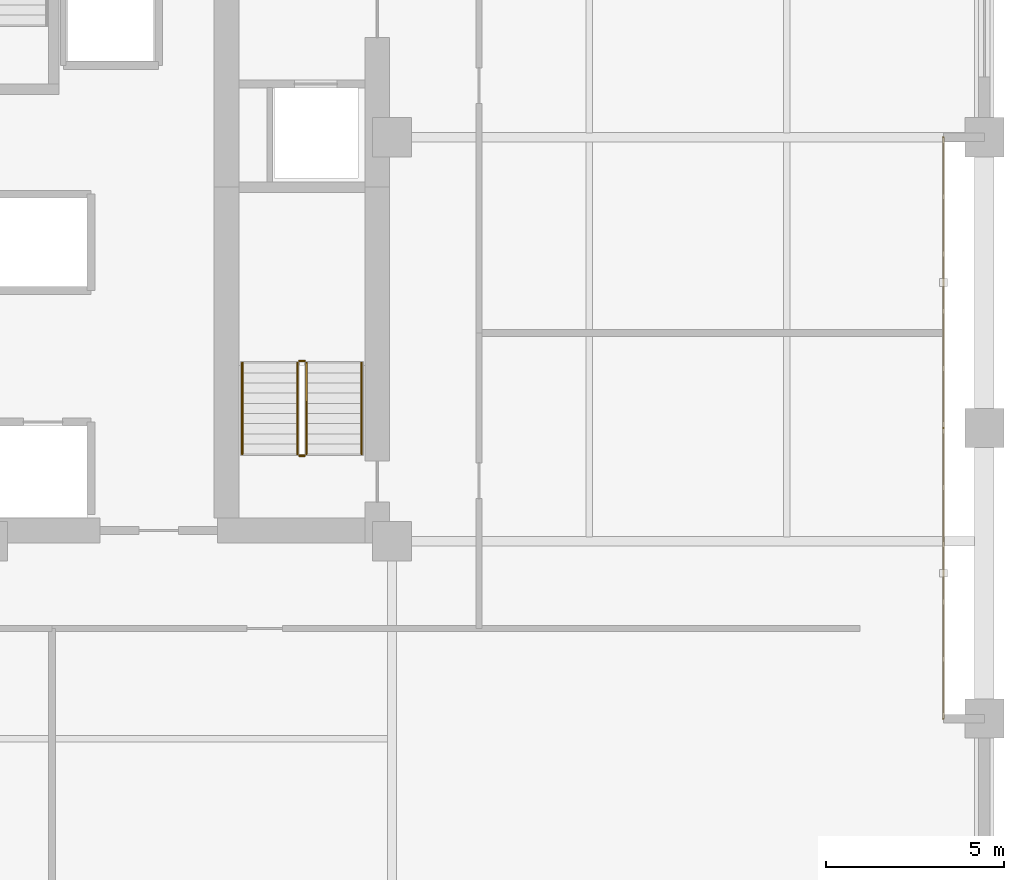
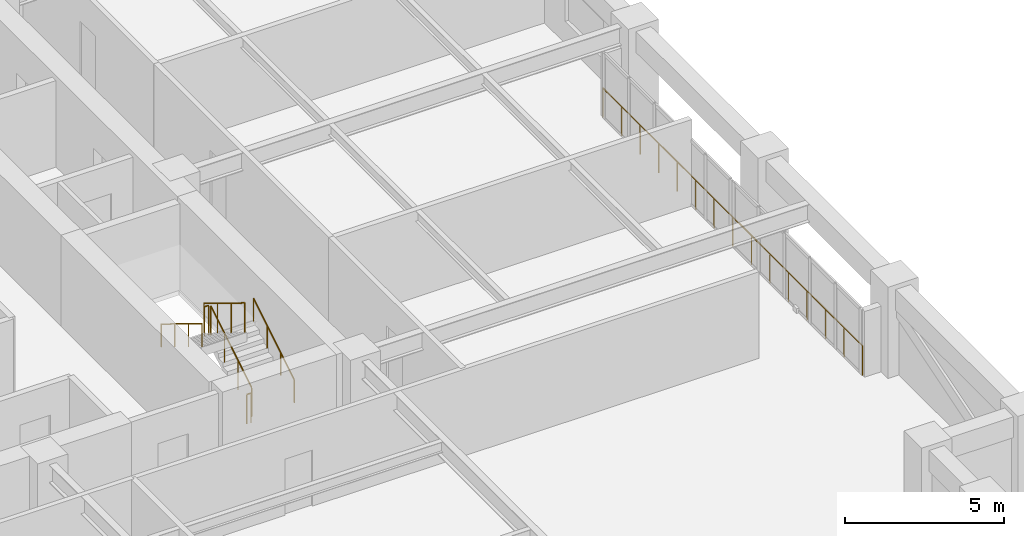
# One storey, part 9 of 10: 8 railings.
"""IFC4 building model written with IfcOpenShell, lengths in metres."""

from ifc_helpers import new_model, si_unit, direction, frame, origin, origin_2d, place, context, subcontext, project, spatial, circle, extrude, material, type_object, element, save


model = new_model("IFC4")

# Units and contexts
model_context = context("Model", 3, precision=1e-05, world=origin(), true_north=direction((0.0, 1.0)))
body_context = subcontext(model_context, "Body", "Model", "MODEL_VIEW")
ifc_project = project(units=[si_unit("LENGTHUNIT", "METRE"), si_unit("AREAUNIT", "SQUARE_METRE"), si_unit("VOLUMEUNIT", "CUBIC_METRE"), si_unit("PLANEANGLEUNIT", "RADIAN"), si_unit("MASSUNIT", "GRAM", prefix="KILO")], contexts=[model_context])

# Site, building, storey
site_placement = place(None, origin())
site = spatial("IfcSite", under=ifc_project, at=site_placement, CompositionType="ELEMENT")
building_placement = place(site_placement, origin())
building = spatial("IfcBuilding", under=site, at=building_placement, Name="Nhamokura Convention Tower", CompositionType="ELEMENT")
storey_placement = place(building_placement, frame((0.0, 0.0, 89.25)))
storey = spatial("IfcBuildingStorey", under=building, at=storey_placement, Name="L21", CompositionType="ELEMENT", Elevation=89.25)

# Railings
ifc_material_1 = material(Name="Anodised bronze stainless steel", Category="steel")
railing_type_1 = type_object("IfcRailingType", Name="StairWallHandrail_900", PredefinedType="HANDRAIL", material=ifc_material_1)
railing_1_placement = place(storey_placement, frame((42.5, 23.10009765625, 0.175048828125)))
element("IfcRailing", 1, at=railing_1_placement, inside=storey, type_object=railing_type_1, Name="L21 ST-02 stair handrail 1", PredefinedType="HANDRAIL", context=body_context, shape_type="SweptSolid", body=[
    extrude(circle(Radius=0.02392578125, at=origin_2d()), frame((0.0, 0.0, 0.8759765625), z_axis=(0.0, 0.852173129349, 0.523259933127), x_axis=(-1.0, 0.0, 0.0)), (0.0, 0.0, 1.0), 3.009765625),
    extrude(circle(Radius=0.02099609375, at=origin_2d()), origin(), (0.0, 0.0, 1.0), 0.851806640625),
    extrude(circle(Radius=0.02099609375, at=origin_2d()), frame((0.0, 0.85498046875, 0.52490234375)), (0.0, 0.0, 1.0), 0.851806640625),
    extrude(circle(Radius=0.02099609375, at=origin_2d()), frame((0.0, 1.7099609375, 1.050048828125)), (0.0, 0.0, 1.0), 0.851806640625),
    extrude(circle(Radius=0.02099609375, at=origin_2d()), frame((0.0, 2.56494140625, 1.574951171875)), (0.0, 0.0, 1.0), 0.851806640625),
])
railing_2_placement = place(storey_placement, frame((39.14990234375, 25.6650390625, 1.925048828125)))
element("IfcRailing", 2, at=railing_2_placement, inside=storey, type_object=railing_type_1, Name="L21 ST-02 stair handrail 2", PredefinedType="HANDRAIL", context=body_context, shape_type="SweptSolid", body=[
    extrude(circle(Radius=0.02392578125, at=origin_2d()), frame((0.0, 0.0, 0.8759765625), z_axis=(0.0, -0.852173129349, 0.523259933127), x_axis=(1.0, 0.0, 0.0)), (0.0, 0.0, 1.0), 3.009765625),
    extrude(circle(Radius=0.02099609375, at=origin_2d()), origin(), (0.0, 0.0, 1.0), 0.851806640625),
    extrude(circle(Radius=0.02099609375, at=origin_2d()), frame((0.0, -0.85498046875, 0.52490234375)), (0.0, 0.0, 1.0), 0.851806640625),
    extrude(circle(Radius=0.02099609375, at=origin_2d()), frame((0.0, -1.7099609375, 1.050048828125)), (0.0, 0.0, 1.0), 0.851806640625),
    extrude(circle(Radius=0.02099609375, at=origin_2d()), frame((0.0, -2.56494140625, 1.574951171875)), (0.0, 0.0, 1.0), 0.851806640625),
])
ifc_material_2 = material(Name="Painted tubular steel", Category="steel")
railing_type_2 = type_object("IfcRailingType", Name="StairWellGuardrail_1150", PredefinedType="GUARDRAIL", material=ifc_material_2)
railing_3_placement = place(storey_placement, frame((40.949951171875, 23.10009765625, 0.175048828125)))
element("IfcRailing", 3, at=railing_3_placement, inside=storey, type_object=railing_type_2, Name="L21 ST-02 stair guard 1", PredefinedType="GUARDRAIL", context=body_context, shape_type="SweptSolid", body=[
    extrude(circle(Radius=0.02392578125, at=origin_2d()), frame((0.0, 0.0, 1.1259765625), z_axis=(0.0, 0.852173129349, 0.523259933127), x_axis=(-1.0, 0.0, 0.0)), (0.0, 0.0, 1.0), 3.009765625),
    extrude(circle(Radius=0.02099609375, at=origin_2d()), origin(), (0.0, 0.0, 1.0), 1.101806640625),
    extrude(circle(Radius=0.02099609375, at=origin_2d()), frame((0.0, 0.85498046875, 0.52490234375)), (0.0, 0.0, 1.0), 1.101806640625),
    extrude(circle(Radius=0.02099609375, at=origin_2d()), frame((0.0, 1.7099609375, 1.050048828125)), (0.0, 0.0, 1.0), 1.101806640625),
    extrude(circle(Radius=0.02099609375, at=origin_2d()), frame((0.0, 2.56494140625, 1.574951171875)), (0.0, 0.0, 1.0), 1.101806640625),
])
railing_4_placement = place(storey_placement, frame((40.89990234375, 25.715087890625, 1.75)))
element("IfcRailing", 4, at=railing_4_placement, inside=storey, type_object=railing_type_2, Name="L21 ST-02 stair guard 2", PredefinedType="GUARDRAIL", context=body_context, shape_type="SweptSolid", body=[
    extrude(circle(Radius=0.02392578125, at=origin_2d()), frame((0.0, 0.0, 1.1259765625), z_axis=(-1.0, 0.0, 0.0), x_axis=(0.0, -1.0, 0.0)), (0.0, 0.0, 1.0), 0.14990234375),
    extrude(circle(Radius=0.02099609375, at=origin_2d()), origin(), (0.0, 0.0, 1.0), 1.101806640625),
    extrude(circle(Radius=0.02099609375, at=origin_2d()), frame((-0.14990234375, 0.0, 0.0)), (0.0, 0.0, 1.0), 1.101806640625),
])
railing_5_placement = place(storey_placement, frame((40.699951171875, 25.6650390625, 1.925048828125)))
element("IfcRailing", 5, at=railing_5_placement, inside=storey, type_object=railing_type_2, Name="L21 ST-02 stair guard 3", PredefinedType="GUARDRAIL", context=body_context, shape_type="SweptSolid", body=[
    extrude(circle(Radius=0.02392578125, at=origin_2d()), frame((0.0, 0.0, 1.1259765625), z_axis=(0.0, -0.852173129349, 0.523259933127), x_axis=(1.0, 0.0, 0.0)), (0.0, 0.0, 1.0), 3.009765625),
    extrude(circle(Radius=0.02099609375, at=origin_2d()), origin(), (0.0, 0.0, 1.0), 1.101806640625),
    extrude(circle(Radius=0.02099609375, at=origin_2d()), frame((0.0, -0.85498046875, 0.52490234375)), (0.0, 0.0, 1.0), 1.101806640625),
    extrude(circle(Radius=0.02099609375, at=origin_2d()), frame((0.0, -1.7099609375, 1.050048828125)), (0.0, 0.0, 1.0), 1.101806640625),
    extrude(circle(Radius=0.02099609375, at=origin_2d()), frame((0.0, -2.56494140625, 1.574951171875)), (0.0, 0.0, 1.0), 1.101806640625),
])
railing_6_placement = place(storey_placement, frame((40.89990234375, 23.050048828125, 0.0)))
element("IfcRailing", 6, at=railing_6_placement, inside=storey, type_object=railing_type_2, Name="L21 ST-02 stair guard 4", PredefinedType="GUARDRAIL", context=body_context, shape_type="SweptSolid", body=[
    extrude(circle(Radius=0.02392578125, at=origin_2d()), frame((0.0, 0.0, 1.1259765625), z_axis=(-1.0, 0.0, 0.0), x_axis=(0.0, -1.0, 0.0)), (0.0, 0.0, 1.0), 0.14990234375),
    extrude(circle(Radius=0.02099609375, at=origin_2d()), origin(), (0.0, 0.0, 1.0), 1.101806640625),
    extrude(circle(Radius=0.02099609375, at=origin_2d()), frame((-0.14990234375, 0.0, 0.0)), (0.0, 0.0, 1.0), 1.101806640625),
])
ifc_material_3 = material(Name="Anodised bronze stainless steel", Category="steel")
railing_type_3 = type_object("IfcRailingType", Name="TerraceGuardrail_1150", PredefinedType="GUARDRAIL", material=ifc_material_3)
railing_7_placement = place(storey_placement, frame((58.85009765625, 23.833251953125, 0.0)))
element("IfcRailing", 7, at=railing_7_placement, inside=storey, type_object=railing_type_3, Name="L21 Scale-Slot Edge Guardrail EAST 1", PredefinedType="GUARDRAIL", context=body_context, shape_type="SweptSolid", body=[
    extrude(circle(Radius=0.02392578125, at=origin_2d()), frame((0.0, 0.0, 1.1259765625), z_axis=(0.0, -1.0, 0.0), x_axis=(1.0, 0.0, 0.0)), (0.0, 0.0, 1.0), 8.16650390625),
    extrude(circle(Radius=0.02099609375, at=origin_2d()), origin(), (0.0, 0.0, 1.0), 1.101806640625),
    extrude(circle(Radius=0.02099609375, at=origin_2d()), frame((0.0, -1.166748046875, 0.0)), (0.0, 0.0, 1.0), 1.101806640625),
    extrude(circle(Radius=0.02099609375, at=origin_2d()), frame((0.0, -2.333251953125, 0.0)), (0.0, 0.0, 1.0), 1.101806640625),
    extrude(circle(Radius=0.02099609375, at=origin_2d()), frame((0.0, -3.5, 0.0)), (0.0, 0.0, 1.0), 1.101806640625),
    extrude(circle(Radius=0.02099609375, at=origin_2d()), frame((0.0, -4.66650390625, 0.0)), (0.0, 0.0, 1.0), 1.101806640625),
    extrude(circle(Radius=0.02099609375, at=origin_2d()), frame((0.0, -5.833251953125, 0.0)), (0.0, 0.0, 1.0), 1.101806640625),
    extrude(circle(Radius=0.02099609375, at=origin_2d()), frame((0.0, -6.999755859375, 0.0)), (0.0, 0.0, 1.0), 1.101806640625),
    extrude(circle(Radius=0.02099609375, at=origin_2d()), frame((0.0, -8.16650390625, 0.0)), (0.0, 0.0, 1.0), 1.101806640625),
])
railing_8_placement = place(storey_placement, frame((58.85009765625, 32.0, 0.0)))
element("IfcRailing", 8, at=railing_8_placement, inside=storey, type_object=railing_type_3, Name="L21 Scale-Slot Edge Guardrail EAST 2", PredefinedType="GUARDRAIL", context=body_context, shape_type="SweptSolid", body=[
    extrude(circle(Radius=0.02392578125, at=origin_2d()), frame((0.0, 0.0, 1.1259765625), z_axis=(0.0, -1.0, 0.0), x_axis=(1.0, 0.0, 0.0)), (0.0, 0.0, 1.0), 8.166748046875),
    extrude(circle(Radius=0.02099609375, at=origin_2d()), origin(), (0.0, 0.0, 1.0), 1.101806640625),
    extrude(circle(Radius=0.02099609375, at=origin_2d()), frame((0.0, -1.166748046875, 0.0)), (0.0, 0.0, 1.0), 1.101806640625),
    extrude(circle(Radius=0.02099609375, at=origin_2d()), frame((0.0, -2.333251953125, 0.0)), (0.0, 0.0, 1.0), 1.101806640625),
    extrude(circle(Radius=0.02099609375, at=origin_2d()), frame((0.0, -3.5, 0.0)), (0.0, 0.0, 1.0), 1.101806640625),
    extrude(circle(Radius=0.02099609375, at=origin_2d()), frame((0.0, -4.666748046875, 0.0)), (0.0, 0.0, 1.0), 1.101806640625),
    extrude(circle(Radius=0.02099609375, at=origin_2d()), frame((0.0, -5.83349609375, 0.0)), (0.0, 0.0, 1.0), 1.101806640625),
    extrude(circle(Radius=0.02099609375, at=origin_2d()), frame((0.0, -7.0, 0.0)), (0.0, 0.0, 1.0), 1.101806640625),
    extrude(circle(Radius=0.02099609375, at=origin_2d()), frame((0.0, -8.166748046875, 0.0)), (0.0, 0.0, 1.0), 1.101806640625),
])

save(model, "model.ifc")
